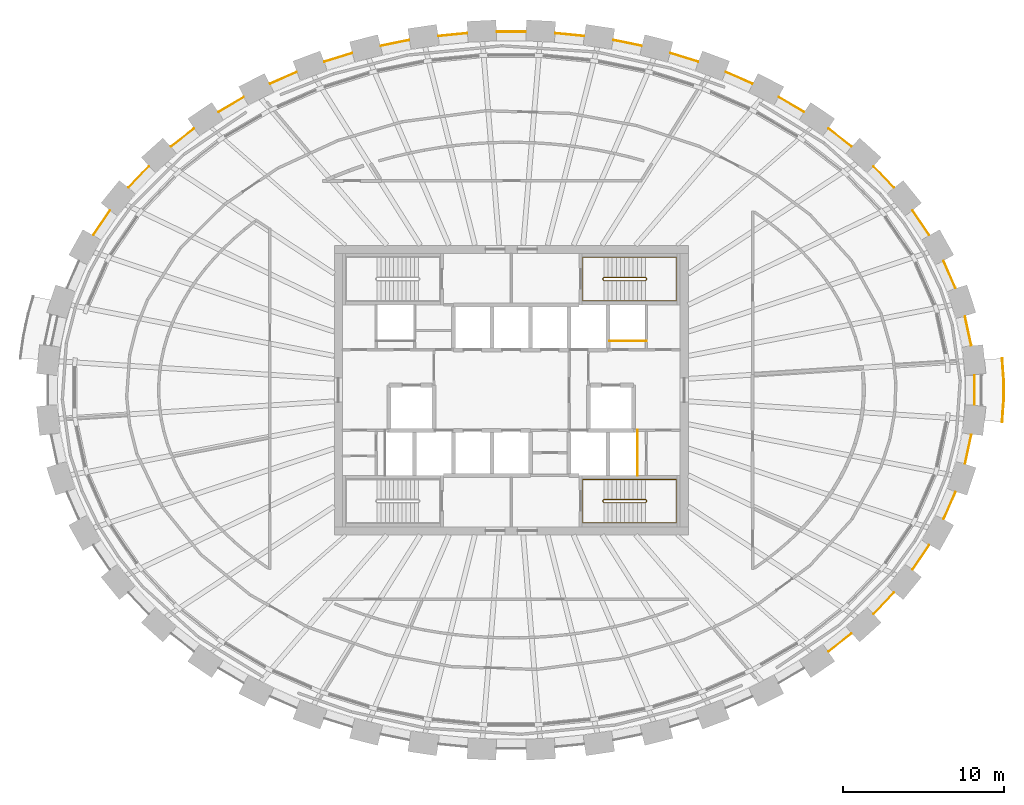
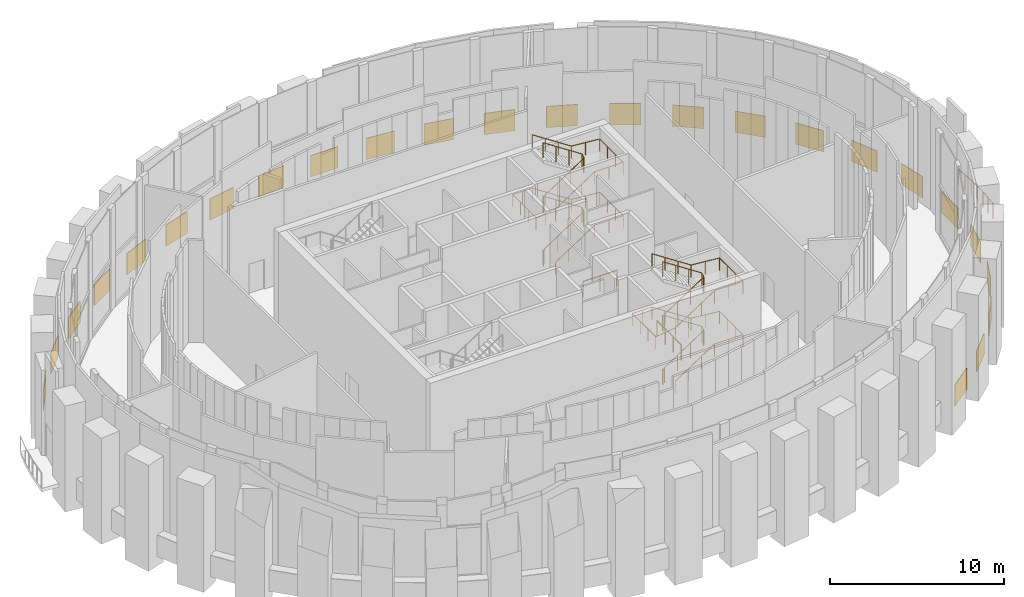
# One storey, part 16 of 16: 25 coverings, 7 railings.
"""IFC4 building model written with IfcOpenShell, lengths in metres."""

from ifc_helpers import new_model, si_unit, direction, frame, origin, origin_2d, place, context, subcontext, project, spatial, rectangle, circle, extrude, source, transform, mapped, material, layer, layer_set, type_object, element, save


model = new_model("IFC4")

# Units and contexts
model_context = context("Model", 3, precision=1e-05, world=origin(), true_north=direction((0.0, 1.0)))
body_context = subcontext(model_context, "Body", "Model", "MODEL_VIEW")
ifc_project = project(units=[si_unit("LENGTHUNIT", "METRE"), si_unit("AREAUNIT", "SQUARE_METRE"), si_unit("VOLUMEUNIT", "CUBIC_METRE"), si_unit("PLANEANGLEUNIT", "RADIAN"), si_unit("MASSUNIT", "GRAM", prefix="KILO")], contexts=[model_context])

# Site, building, storey
site_placement = place(None, origin())
site = spatial("IfcSite", under=ifc_project, at=site_placement, CompositionType="ELEMENT")
building_placement = place(site_placement, origin())
building = spatial("IfcBuilding", under=site, at=building_placement, Name="Embergate Tower", CompositionType="ELEMENT")
storey_placement = place(building_placement, frame((0.0, 0.0, 332.5)))
storey = spatial("IfcBuildingStorey", under=building, at=storey_placement, Name="L78", CompositionType="ELEMENT", Elevation=332.5)

# Coverings
ifc_material_1 = material(Name="Terracotta rainscreen on insulated backing", Category="masonry")
ifc_layer = layer(ifc_material_1, 0.0400390625)
ifc_layer_set = layer_set([ifc_layer], Name="Terracotta rainscreen on insulated backing")
covering_type = type_object("IfcCoveringType", Name="Terracotta rainscreen band", PredefinedType="CLADDING", material=ifc_layer_set)
shared_shape_1 = source(origin(), body_context, "Body", "SweptSolid", [
    extrude(rectangle(XDim=1.841064453125, YDim=0.0400390625, at=origin_2d()), origin(), (0.0, 0.0, 1.0), 1.5),
])
for number, where, z_axis, x_axis, name in (
    (1, (28.393798828125, 3.673095703125, -0.75), (0.0, 0.0, 1.0), (-0.210197047879, 0.977659041314, 0.0), "Rainscreen band 1"),
    (2, (28.393798828125, -3.673095703125, -0.75), (0.0, 0.0, 1.0), (0.210197047879, 0.977659041314, 0.0), "Rainscreen band 43"),
):
    element("IfcCovering", number, at=place(storey_placement, frame(where, z_axis=z_axis, x_axis=x_axis)), inside=storey, type_object=covering_type, Name=name, PredefinedType="CLADDING", context=body_context, shape_type="MappedRepresentation", body=[
        mapped(shared_shape_1, transform((0.0, 0.0, 0.0))),
    ])
shared_shape_2 = source(origin(), body_context, "Body", "SweptSolid", [
    extrude(rectangle(XDim=1.83349609375, YDim=0.0400390625, at=origin_2d()), origin(), (0.0, 0.0, 1.0), 1.5),
])
for number, where, z_axis, x_axis, name in (
    (3, (27.240478515625, 7.175048828125, -0.75), (0.0, 0.0, 1.0), (-0.401934991555, 0.9156682055, 0.0), "Rainscreen band 2"),
    (4, (27.240478515625, -7.175048828125, -0.75), (0.0, 0.0, 1.0), (0.401934991555, 0.9156682055, 0.0), "Rainscreen band 42"),
):
    element("IfcCovering", number, at=place(storey_placement, frame(where, z_axis=z_axis, x_axis=x_axis)), inside=storey, type_object=covering_type, Name=name, PredefinedType="CLADDING", context=body_context, shape_type="MappedRepresentation", body=[
        mapped(shared_shape_2, transform((0.0, 0.0, 0.0))),
    ])
shared_shape_3 = source(origin(), body_context, "Body", "SweptSolid", [
    extrude(rectangle(XDim=1.8291015625, YDim=0.0400390625, at=origin_2d()), origin(), (0.0, 0.0, 1.0), 1.5),
])
for number, where, z_axis, x_axis, name in (
    (5, (25.4599609375, 10.393310546875, -0.75), (0.0, 0.0, 1.0), (-0.561995319464, 0.827140411841, 0.0), "Rainscreen band 3"),
    (6, (-25.4599609375, 10.393310546875, -0.75), (0.0, 0.0, 1.0), (-0.561995319464, -0.827140411841, 0.0), "Rainscreen band 19"),
    (7, (25.4599609375, -10.393310546875, -0.75), (0.0, 0.0, 1.0), (0.561995319464, 0.827140411841, 0.0), "Rainscreen band 41"),
):
    element("IfcCovering", number, at=place(storey_placement, frame(where, z_axis=z_axis, x_axis=x_axis)), inside=storey, type_object=covering_type, Name=name, PredefinedType="CLADDING", context=body_context, shape_type="MappedRepresentation", body=[
        mapped(shared_shape_3, transform((0.0, 0.0, 0.0))),
    ])
shared_shape_4 = source(origin(), body_context, "Body", "SweptSolid", [
    extrude(rectangle(XDim=1.82421875, YDim=0.0400390625, at=origin_2d()), origin(), (0.0, 0.0, 1.0), 1.5),
])
for number, where, z_axis, x_axis, name in (
    (8, (23.155029296875, 13.24755859375, -0.75), (0.0, 0.0, 1.0), (-0.690189357203, 0.723628807611, 0.0), "Rainscreen band 4"),
    (9, (-23.155029296875, 13.24755859375, -0.75), (0.0, 0.0, 1.0), (-0.690189357203, -0.723628807611, 0.0), "Rainscreen band 18"),
    (10, (23.155029296875, -13.24755859375, -0.75), (0.0, 0.0, 1.0), (0.690189357203, 0.723628807611, 0.0), "Rainscreen band 40"),
):
    element("IfcCovering", number, at=place(storey_placement, frame(where, z_axis=z_axis, x_axis=x_axis)), inside=storey, type_object=covering_type, Name=name, PredefinedType="CLADDING", context=body_context, shape_type="MappedRepresentation", body=[
        mapped(shared_shape_4, transform((0.0, 0.0, 0.0))),
    ])
shared_shape_5 = source(origin(), body_context, "Body", "SweptSolid", [
    extrude(rectangle(XDim=1.81884765625, YDim=0.0400390625, at=origin_2d()), origin(), (0.0, 0.0, 1.0), 1.5),
])
for number, where, z_axis, x_axis, name in (
    (11, (20.429443359375, 15.690185546875, -0.75), (0.0, 0.0, 1.0), (-0.788373808279, 0.615196503907, 0.0), "Rainscreen band 5"),
    (12, (-20.429443359375, 15.690185546875, -0.75), (0.0, 0.0, 1.0), (-0.788373808279, -0.615196503907, 0.0), "Rainscreen band 17"),
    (13, (20.429443359375, -15.690185546875, -0.75), (0.0, 0.0, 1.0), (0.788373808279, 0.615196503907, 0.0), "Rainscreen band 39"),
):
    element("IfcCovering", number, at=place(storey_placement, frame(where, z_axis=z_axis, x_axis=x_axis)), inside=storey, type_object=covering_type, Name=name, PredefinedType="CLADDING", context=body_context, shape_type="MappedRepresentation", body=[
        mapped(shared_shape_5, transform((0.0, 0.0, 0.0))),
    ])
shared_shape_6 = source(origin(), body_context, "Body", "SweptSolid", [
    extrude(rectangle(XDim=1.814453125, YDim=0.0400390625, at=origin_2d()), origin(), (0.0, 0.0, 1.0), 1.5),
])
for number, where, z_axis, x_axis, name in (
    (14, (17.40966796875, 17.743408203125, -0.75), (0.0, 0.0, 1.0), (-0.861934612657, 0.507019450813, 0.0), "Rainscreen band 6"),
    (15, (-17.40966796875, 17.743408203125, -0.75), (0.0, 0.0, 1.0), (-0.861934612657, -0.507019450813, 0.0), "Rainscreen band 16"),
):
    element("IfcCovering", number, at=place(storey_placement, frame(where, z_axis=z_axis, x_axis=x_axis)), inside=storey, type_object=covering_type, Name=name, PredefinedType="CLADDING", context=body_context, shape_type="MappedRepresentation", body=[
        mapped(shared_shape_6, transform((0.0, 0.0, 0.0))),
    ])
shared_shape_7 = source(origin(), body_context, "Body", "SweptSolid", [
    extrude(rectangle(XDim=1.812744140625, YDim=0.0400390625, at=origin_2d()), origin(), (0.0, 0.0, 1.0), 1.5),
])
for number, where, z_axis, x_axis, name in (
    (16, (14.16259765625, 19.400390625, -0.75), (0.0, 0.0, 1.0), (-0.916296336583, 0.400500965747, 0.0), "Rainscreen band 7"),
    (17, (-14.16259765625, 19.400390625, -0.75), (0.0, 0.0, 1.0), (-0.916296336583, -0.400500965747, 0.0), "Rainscreen band 15"),
):
    element("IfcCovering", number, at=place(storey_placement, frame(where, z_axis=z_axis, x_axis=x_axis)), inside=storey, type_object=covering_type, Name=name, PredefinedType="CLADDING", context=body_context, shape_type="MappedRepresentation", body=[
        mapped(shared_shape_7, transform((0.0, 0.0, 0.0))),
    ])
shared_shape_8 = source(origin(), body_context, "Body", "SweptSolid", [
    extrude(rectangle(XDim=1.810791015625, YDim=0.0400390625, at=origin_2d()), origin(), (0.0, 0.0, 1.0), 1.5),
])
for number, where, z_axis, x_axis, name in (
    (18, (10.751220703125, 20.672607421875, -0.75), (0.0, 0.0, 1.0), (-0.954842767896, 0.297111576006, 0.0), "Rainscreen band 8"),
    (19, (-10.751220703125, 20.672607421875, -0.75), (0.0, 0.0, 1.0), (-0.954842767896, -0.297111576006, 0.0), "Rainscreen band 14"),
):
    element("IfcCovering", number, at=place(storey_placement, frame(where, z_axis=z_axis, x_axis=x_axis)), inside=storey, type_object=covering_type, Name=name, PredefinedType="CLADDING", context=body_context, shape_type="MappedRepresentation", body=[
        mapped(shared_shape_8, transform((0.0, 0.0, 0.0))),
    ])
shared_shape_9 = source(origin(), body_context, "Body", "SweptSolid", [
    extrude(rectangle(XDim=1.809326171875, YDim=0.0400390625, at=origin_2d()), origin(), (0.0, 0.0, 1.0), 1.5),
])
for number, where, z_axis, x_axis, name in (
    (20, (7.22607421875, 21.572265625, -0.75), (0.0, 0.0, 1.0), (-0.98045290629, 0.196753903515, 0.0), "Rainscreen band 9"),
    (21, (-7.22607421875, 21.572265625, -0.75), (0.0, 0.0, 1.0), (-0.98045290629, -0.196753903515, 0.0), "Rainscreen band 13"),
):
    element("IfcCovering", number, at=place(storey_placement, frame(where, z_axis=z_axis, x_axis=x_axis)), inside=storey, type_object=covering_type, Name=name, PredefinedType="CLADDING", context=body_context, shape_type="MappedRepresentation", body=[
        mapped(shared_shape_9, transform((0.0, 0.0, 0.0))),
    ])
shared_shape_10 = source(origin(), body_context, "Body", "SweptSolid", [
    extrude(rectangle(XDim=1.806640625, YDim=0.0400390625, at=origin_2d()), origin(), (0.0, 0.0, 1.0), 1.5),
])
for number, where, z_axis, x_axis, name in (
    (22, (3.6279296875, 22.088134765625, -0.75), (0.0, 0.0, 1.0), (-0.995189515505, 0.097968506312, 0.0), "Rainscreen band 10"),
    (23, (-3.6279296875, 22.088134765625, -0.75), (0.0, 0.0, 1.0), (-0.995189515505, -0.097968506312, 0.0), "Rainscreen band 12"),
):
    element("IfcCovering", number, at=place(storey_placement, frame(where, z_axis=z_axis, x_axis=x_axis)), inside=storey, type_object=covering_type, Name=name, PredefinedType="CLADDING", context=body_context, shape_type="MappedRepresentation", body=[
        mapped(shared_shape_10, transform((0.0, 0.0, 0.0))),
    ])
shared_shape_11 = source(origin(), body_context, "Body", "SweptSolid", [
    extrude(rectangle(XDim=1.805908203125, YDim=0.0400390625, at=origin_2d()), origin(), (0.0, 0.0, 1.0), 1.5),
])
covering_1_placement = place(storey_placement, frame((0.0, 22.26708984375, -0.75), z_axis=(0.0, 0.0, 1.0), x_axis=(-1.0, 0.0, 0.0)))
element("IfcCovering", 24, at=covering_1_placement, inside=storey, type_object=covering_type, Name="Rainscreen band 11", PredefinedType="CLADDING", context=body_context, shape_type="MappedRepresentation", body=[
    mapped(shared_shape_11, transform((0.0, 0.0, 0.0))),
])
shared_shape_12 = source(origin(), body_context, "Body", "SweptSolid", [
    extrude(rectangle(XDim=1.842041015625, YDim=0.0400390625, at=origin_2d()), origin(), (0.0, 0.0, 1.0), 1.5),
])
covering_2_placement = place(storey_placement, frame((28.784912109375, 0.0, -0.75), z_axis=(0.0, 0.0, 1.0), x_axis=(0.0, 1.0, 0.0)))
element("IfcCovering", 25, at=covering_2_placement, inside=storey, type_object=covering_type, Name="Rainscreen band 44", PredefinedType="CLADDING", context=body_context, shape_type="MappedRepresentation", body=[
    mapped(shared_shape_12, transform((0.0, 0.0, 0.0))),
])

# Railings
ifc_material_2 = material(Name="Stair guard 1100")
railing_type_1 = type_object("IfcRailingType", Name="Stair guard 1100", PredefinedType="GUARDRAIL", material=ifc_material_2)
shared_shape_13 = source(origin(), body_context, "Body", "SweptSolid", [
    extrude(circle(Radius=0.02392578125, at=origin_2d()), frame((0.0, 0.0, 1.076171875), z_axis=(0.0, -1.0, 0.0), x_axis=(1.0, 0.0, 0.0)), (0.0, 0.0, 1.0), 0.099853515625),
    extrude(circle(Radius=0.02392578125, at=origin_2d()), frame((0.0, -0.099853515625, 1.076171875), z_axis=(0.271230943075, -0.271230943075, 0.923508284228), x_axis=(0.707106781187, 0.707106781187, 0.0)), (0.0, 0.0, 1.0), 0.1845703125),
    extrude(circle(Radius=0.02392578125, at=origin_2d()), frame((0.050048828125, -0.14990234375, 1.24658203125), z_axis=(0.836302213143, 0.0, 0.548268737292), x_axis=(0.0, 1.0, 0.0)), (0.0, 0.0, 1.0), 3.109130859375),
    extrude(circle(Radius=0.02392578125, at=origin_2d()), frame((2.650146484375, -0.14990234375, 2.951171875), z_axis=(0.705375805398, 0.708833529934, 0.0), x_axis=(-0.708833529934, 0.705375805398, 0.0)), (0.0, 0.0, 1.0), 0.070556640625),
    extrude(circle(Radius=0.02392578125, at=origin_2d()), frame((2.699951171875, -0.099853515625, 2.951171875), z_axis=(0.0, 1.0, 0.0), x_axis=(-1.0, 0.0, 0.0)), (0.0, 0.0, 1.0), 0.099853515625),
    extrude(circle(Radius=0.02392578125, at=origin_2d()), frame((2.699951171875, 0.0, 2.951171875), z_axis=(-0.270004540015, 0.271328091682, 0.923839063385), x_axis=(-0.708833529934, -0.705375805398, 0.0)), (0.0, 0.0, 1.0), 0.1845703125),
    extrude(circle(Radius=0.02392578125, at=origin_2d()), frame((2.650146484375, 0.050048828125, 3.12158203125), z_axis=(-0.836302213143, 0.0, 0.548268737292), x_axis=(0.0, -1.0, 0.0)), (0.0, 0.0, 1.0), 3.109130859375),
    extrude(circle(Radius=0.02392578125, at=origin_2d()), frame((0.050048828125, 0.050048828125, 4.826171875), z_axis=(-0.707106781187, -0.707106781187, 0.0), x_axis=(0.707106781187, -0.707106781187, 0.0)), (0.0, 0.0, 1.0), 0.07080078125),
    extrude(circle(Radius=0.02392578125, at=origin_2d()), frame((0.0, 0.0, 4.826171875), z_axis=(0.0, -1.0, 0.0), x_axis=(1.0, 0.0, 0.0)), (0.0, 0.0, 1.0), 0.099853515625),
    extrude(circle(Radius=0.02392578125, at=origin_2d()), frame((0.0, -0.099853515625, 4.826171875), z_axis=(0.271230943075, -0.271230943075, 0.923508284228), x_axis=(0.707106781187, 0.707106781187, 0.0)), (0.0, 0.0, 1.0), 0.1845703125),
    extrude(circle(Radius=0.02392578125, at=origin_2d()), frame((0.050048828125, -0.14990234375, 4.99658203125), z_axis=(0.836302213143, 0.0, 0.548268737292), x_axis=(0.0, 1.0, 0.0)), (0.0, 0.0, 1.0), 3.109130859375),
    extrude(circle(Radius=0.02392578125, at=origin_2d()), frame((2.650146484375, -0.14990234375, 6.701171875), z_axis=(0.705375805398, 0.708833529934, 0.0), x_axis=(-0.708833529934, 0.705375805398, 0.0)), (0.0, 0.0, 1.0), 0.070556640625),
    extrude(circle(Radius=0.02392578125, at=origin_2d()), frame((2.699951171875, -0.099853515625, 6.701171875), z_axis=(0.0, 1.0, 0.0), x_axis=(-1.0, 0.0, 0.0)), (0.0, 0.0, 1.0), 0.099853515625),
    extrude(circle(Radius=0.02392578125, at=origin_2d()), frame((2.699951171875, 0.0, 6.701171875), z_axis=(-0.270004540015, 0.271328091682, 0.923839063385), x_axis=(-0.708833529934, -0.705375805398, 0.0)), (0.0, 0.0, 1.0), 0.1845703125),
    extrude(circle(Radius=0.02392578125, at=origin_2d()), frame((2.650146484375, 0.050048828125, 6.87158203125), z_axis=(-0.836302213143, 0.0, 0.548268737292), x_axis=(0.0, -1.0, 0.0)), (0.0, 0.0, 1.0), 3.109130859375),
    extrude(circle(Radius=0.02099609375, at=origin_2d()), origin(), (0.0, 0.0, 1.0), 1.052001953125),
    extrude(circle(Radius=0.02099609375, at=origin_2d()), frame((0.0, -0.099853515625, 0.0)), (0.0, 0.0, 1.0), 1.052001953125),
    extrude(circle(Radius=0.02099609375, at=origin_2d()), frame((0.050048828125, -0.14990234375, 0.17041015625)), (0.0, 0.0, 1.0), 1.052001953125),
    extrude(circle(Radius=0.02099609375, at=origin_2d()), frame((0.916748046875, -0.14990234375, 0.738525390625)), (0.0, 0.0, 1.0), 1.052001953125),
    extrude(circle(Radius=0.02099609375, at=origin_2d()), frame((1.783447265625, -0.14990234375, 1.306884765625)), (0.0, 0.0, 1.0), 1.052001953125),
    extrude(circle(Radius=0.02099609375, at=origin_2d()), frame((2.650146484375, -0.14990234375, 1.875)), (0.0, 0.0, 1.0), 1.052001953125),
    extrude(circle(Radius=0.02099609375, at=origin_2d()), frame((2.699951171875, -0.099853515625, 1.875)), (0.0, 0.0, 1.0), 1.052001953125),
    extrude(circle(Radius=0.02099609375, at=origin_2d()), frame((2.699951171875, 0.0, 1.875)), (0.0, 0.0, 1.0), 1.052001953125),
    extrude(circle(Radius=0.02099609375, at=origin_2d()), frame((2.650146484375, 0.050048828125, 2.04541015625)), (0.0, 0.0, 1.0), 1.052001953125),
    extrude(circle(Radius=0.02099609375, at=origin_2d()), frame((1.783447265625, 0.050048828125, 2.613525390625)), (0.0, 0.0, 1.0), 1.052001953125),
    extrude(circle(Radius=0.02099609375, at=origin_2d()), frame((0.916748046875, 0.050048828125, 3.181884765625)), (0.0, 0.0, 1.0), 1.052001953125),
    extrude(circle(Radius=0.02099609375, at=origin_2d()), frame((0.050048828125, 0.050048828125, 3.75)), (0.0, 0.0, 1.0), 1.052001953125),
    extrude(circle(Radius=0.02099609375, at=origin_2d()), frame((0.0, 0.0, 3.75)), (0.0, 0.0, 1.0), 1.052001953125),
    extrude(circle(Radius=0.02099609375, at=origin_2d()), frame((0.0, -0.099853515625, 3.75)), (0.0, 0.0, 1.0), 1.052001953125),
    extrude(circle(Radius=0.02099609375, at=origin_2d()), frame((0.050048828125, -0.14990234375, 3.92041015625)), (0.0, 0.0, 1.0), 1.052001953125),
    extrude(circle(Radius=0.02099609375, at=origin_2d()), frame((0.916748046875, -0.14990234375, 4.488525390625)), (0.0, 0.0, 1.0), 1.052001953125),
    extrude(circle(Radius=0.02099609375, at=origin_2d()), frame((1.783447265625, -0.14990234375, 5.056884765625)), (0.0, 0.0, 1.0), 1.052001953125),
    extrude(circle(Radius=0.02099609375, at=origin_2d()), frame((2.650146484375, -0.14990234375, 5.625)), (0.0, 0.0, 1.0), 1.052001953125),
    extrude(circle(Radius=0.02099609375, at=origin_2d()), frame((2.699951171875, -0.099853515625, 5.625)), (0.0, 0.0, 1.0), 1.052001953125),
    extrude(circle(Radius=0.02099609375, at=origin_2d()), frame((2.699951171875, 0.0, 5.625)), (0.0, 0.0, 1.0), 1.052001953125),
    extrude(circle(Radius=0.02099609375, at=origin_2d()), frame((2.650146484375, 0.050048828125, 5.79541015625)), (0.0, 0.0, 1.0), 1.052001953125),
    extrude(circle(Radius=0.02099609375, at=origin_2d()), frame((1.783447265625, 0.050048828125, 6.363525390625)), (0.0, 0.0, 1.0), 1.052001953125),
    extrude(circle(Radius=0.02099609375, at=origin_2d()), frame((0.916748046875, 0.050048828125, 6.931884765625)), (0.0, 0.0, 1.0), 1.052001953125),
    extrude(circle(Radius=0.02099609375, at=origin_2d()), frame((0.050048828125, 0.050048828125, 7.5)), (0.0, 0.0, 1.0), 1.052001953125),
])
for number, where, name in (
    (26, (5.699951171875, 6.949951171875, 0.0), "L78 ST2 stair guard 1"),
    (27, (5.699951171875, -6.85009765625, 0.0), "L78 ST4 stair guard 1"),
):
    element("IfcRailing", number, at=place(storey_placement, frame(where)), inside=storey, type_object=railing_type_1, Name=name, PredefinedType="GUARDRAIL", context=body_context, shape_type="MappedRepresentation", body=[
        mapped(shared_shape_13, transform((0.0, 0.0, 0.0))),
    ])
ifc_material_3 = material(Name="Stair handrail 900")
railing_type_2 = type_object("IfcRailingType", Name="Stair handrail 900", PredefinedType="HANDRAIL", material=ifc_material_3)
shared_shape_14 = source(origin(), body_context, "Body", "SweptSolid", [
    extrude(circle(Radius=0.02392578125, at=origin_2d()), frame((0.0, 0.0, 0.8759765625), z_axis=(0.836302213143, 0.0, 0.548268737292), x_axis=(0.0, 1.0, 0.0)), (0.0, 0.0, 1.0), 3.109130859375),
    extrude(circle(Radius=0.02392578125, at=origin_2d()), frame((2.60009765625, 0.0, 2.58056640625), z_axis=(1.0, 0.0, 0.0), x_axis=(0.0, 1.0, 0.0)), (0.0, 0.0, 1.0), 1.89990234375),
    extrude(circle(Radius=0.02392578125, at=origin_2d()), frame((4.5, 0.0, 2.58056640625), z_axis=(0.0, 1.0, 0.0), x_axis=(-1.0, 0.0, 0.0)), (0.0, 0.0, 1.0), 2.699951171875),
    extrude(circle(Radius=0.02392578125, at=origin_2d()), frame((4.5, 2.699951171875, 2.58056640625), z_axis=(-0.996001587731, 0.0, 0.08933553177), x_axis=(0.0, -1.0, 0.0)), (0.0, 0.0, 1.0), 1.907470703125),
    extrude(circle(Radius=0.02392578125, at=origin_2d()), frame((2.60009765625, 2.699951171875, 2.7509765625), z_axis=(-0.836302213143, 0.0, 0.548268737292), x_axis=(0.0, -1.0, 0.0)), (0.0, 0.0, 1.0), 3.109130859375),
    extrude(circle(Radius=0.02392578125, at=origin_2d()), frame((0.0, 2.699951171875, 4.45556640625), z_axis=(-1.0, 0.0, 0.0), x_axis=(0.0, -1.0, 0.0)), (0.0, 0.0, 1.0), 1.300048828125),
    extrude(circle(Radius=0.02392578125, at=origin_2d()), frame((-1.300048828125, 2.699951171875, 4.45556640625), z_axis=(0.0, -1.0, 0.0), x_axis=(1.0, 0.0, 0.0)), (0.0, 0.0, 1.0), 2.699951171875),
    extrude(circle(Radius=0.02392578125, at=origin_2d()), frame((-1.300048828125, 0.0, 4.45556640625), z_axis=(0.991518186608, 0.0, 0.1299680177), x_axis=(0.0, 1.0, 0.0)), (0.0, 0.0, 1.0), 1.311279296875),
    extrude(circle(Radius=0.02392578125, at=origin_2d()), frame((0.0, 0.0, 4.6259765625), z_axis=(0.836302213143, 0.0, 0.548268737292), x_axis=(0.0, 1.0, 0.0)), (0.0, 0.0, 1.0), 3.109130859375),
    extrude(circle(Radius=0.02392578125, at=origin_2d()), frame((2.60009765625, 0.0, 6.33056640625), z_axis=(1.0, 0.0, 0.0), x_axis=(0.0, 1.0, 0.0)), (0.0, 0.0, 1.0), 1.89990234375),
    extrude(circle(Radius=0.02392578125, at=origin_2d()), frame((4.5, 0.0, 6.33056640625), z_axis=(0.0, 1.0, 0.0), x_axis=(-1.0, 0.0, 0.0)), (0.0, 0.0, 1.0), 2.699951171875),
    extrude(circle(Radius=0.02392578125, at=origin_2d()), frame((4.5, 2.699951171875, 6.33056640625), z_axis=(-0.996001587731, 0.0, 0.08933553177), x_axis=(0.0, -1.0, 0.0)), (0.0, 0.0, 1.0), 1.907470703125),
    extrude(circle(Radius=0.02392578125, at=origin_2d()), frame((2.60009765625, 2.699951171875, 6.5009765625), z_axis=(-0.836302213143, 0.0, 0.548268737292), x_axis=(0.0, -1.0, 0.0)), (0.0, 0.0, 1.0), 3.109130859375),
    extrude(circle(Radius=0.02099609375, at=origin_2d()), origin(), (0.0, 0.0, 1.0), 0.851806640625),
    extrude(circle(Radius=0.02099609375, at=origin_2d()), frame((0.86669921875, 0.0, 0.568115234375)), (0.0, 0.0, 1.0), 0.851806640625),
    extrude(circle(Radius=0.02099609375, at=origin_2d()), frame((1.7333984375, 0.0, 1.136474609375)), (0.0, 0.0, 1.0), 0.851806640625),
    extrude(circle(Radius=0.02099609375, at=origin_2d()), frame((2.60009765625, 0.0, 1.70458984375)), (0.0, 0.0, 1.0), 0.851806640625),
    extrude(circle(Radius=0.02099609375, at=origin_2d()), frame((3.550048828125, 0.0, 1.70458984375)), (0.0, 0.0, 1.0), 0.851806640625),
    extrude(circle(Radius=0.02099609375, at=origin_2d()), frame((4.5, 0.0, 1.70458984375)), (0.0, 0.0, 1.0), 0.851806640625),
    extrude(circle(Radius=0.02099609375, at=origin_2d()), frame((4.5, 0.89990234375, 1.70458984375)), (0.0, 0.0, 1.0), 0.851806640625),
    extrude(circle(Radius=0.02099609375, at=origin_2d()), frame((4.5, 1.800048828125, 1.70458984375)), (0.0, 0.0, 1.0), 0.851806640625),
    extrude(circle(Radius=0.02099609375, at=origin_2d()), frame((4.5, 2.699951171875, 1.70458984375)), (0.0, 0.0, 1.0), 0.851806640625),
    extrude(circle(Radius=0.02099609375, at=origin_2d()), frame((3.550048828125, 2.699951171875, 1.789794921875)), (0.0, 0.0, 1.0), 0.851806640625),
    extrude(circle(Radius=0.02099609375, at=origin_2d()), frame((2.60009765625, 2.699951171875, 1.875)), (0.0, 0.0, 1.0), 0.851806640625),
    extrude(circle(Radius=0.02099609375, at=origin_2d()), frame((1.7333984375, 2.699951171875, 2.443115234375)), (0.0, 0.0, 1.0), 0.851806640625),
    extrude(circle(Radius=0.02099609375, at=origin_2d()), frame((0.86669921875, 2.699951171875, 3.011474609375)), (0.0, 0.0, 1.0), 0.851806640625),
    extrude(circle(Radius=0.02099609375, at=origin_2d()), frame((0.0, 2.699951171875, 3.57958984375)), (0.0, 0.0, 1.0), 0.851806640625),
    extrude(circle(Radius=0.02099609375, at=origin_2d()), frame((-0.64990234375, 2.699951171875, 3.57958984375)), (0.0, 0.0, 1.0), 0.851806640625),
    extrude(circle(Radius=0.02099609375, at=origin_2d()), frame((-1.300048828125, 2.699951171875, 3.57958984375)), (0.0, 0.0, 1.0), 0.851806640625),
    extrude(circle(Radius=0.02099609375, at=origin_2d()), frame((-1.300048828125, 1.800048828125, 3.57958984375)), (0.0, 0.0, 1.0), 0.851806640625),
    extrude(circle(Radius=0.02099609375, at=origin_2d()), frame((-1.300048828125, 0.89990234375, 3.57958984375)), (0.0, 0.0, 1.0), 0.851806640625),
    extrude(circle(Radius=0.02099609375, at=origin_2d()), frame((-1.300048828125, 0.0, 3.57958984375)), (0.0, 0.0, 1.0), 0.851806640625),
    extrude(circle(Radius=0.02099609375, at=origin_2d()), frame((-0.64990234375, 0.0, 3.664794921875)), (0.0, 0.0, 1.0), 0.851806640625),
    extrude(circle(Radius=0.02099609375, at=origin_2d()), frame((0.0, 0.0, 3.75)), (0.0, 0.0, 1.0), 0.851806640625),
    extrude(circle(Radius=0.02099609375, at=origin_2d()), frame((0.86669921875, 0.0, 4.318115234375)), (0.0, 0.0, 1.0), 0.851806640625),
    extrude(circle(Radius=0.02099609375, at=origin_2d()), frame((1.7333984375, 0.0, 4.886474609375)), (0.0, 0.0, 1.0), 0.851806640625),
    extrude(circle(Radius=0.02099609375, at=origin_2d()), frame((2.60009765625, 0.0, 5.45458984375)), (0.0, 0.0, 1.0), 0.851806640625),
    extrude(circle(Radius=0.02099609375, at=origin_2d()), frame((3.550048828125, 0.0, 5.45458984375)), (0.0, 0.0, 1.0), 0.851806640625),
    extrude(circle(Radius=0.02099609375, at=origin_2d()), frame((4.5, 0.0, 5.45458984375)), (0.0, 0.0, 1.0), 0.851806640625),
    extrude(circle(Radius=0.02099609375, at=origin_2d()), frame((4.5, 0.89990234375, 5.45458984375)), (0.0, 0.0, 1.0), 0.851806640625),
    extrude(circle(Radius=0.02099609375, at=origin_2d()), frame((4.5, 1.800048828125, 5.45458984375)), (0.0, 0.0, 1.0), 0.851806640625),
    extrude(circle(Radius=0.02099609375, at=origin_2d()), frame((4.5, 2.699951171875, 5.45458984375)), (0.0, 0.0, 1.0), 0.851806640625),
    extrude(circle(Radius=0.02099609375, at=origin_2d()), frame((3.550048828125, 2.699951171875, 5.539794921875)), (0.0, 0.0, 1.0), 0.851806640625),
    extrude(circle(Radius=0.02099609375, at=origin_2d()), frame((2.60009765625, 2.699951171875, 5.625)), (0.0, 0.0, 1.0), 0.851806640625),
    extrude(circle(Radius=0.02099609375, at=origin_2d()), frame((1.7333984375, 2.699951171875, 6.193115234375)), (0.0, 0.0, 1.0), 0.851806640625),
    extrude(circle(Radius=0.02099609375, at=origin_2d()), frame((0.86669921875, 2.699951171875, 6.761474609375)), (0.0, 0.0, 1.0), 0.851806640625),
    extrude(circle(Radius=0.02099609375, at=origin_2d()), frame((0.0, 2.699951171875, 7.32958984375)), (0.0, 0.0, 1.0), 0.851806640625),
])
for number, where, name in (
    (28, (5.75, 5.550048828125, 0.17041015625), "L78 ST2 stair handrail 1"),
    (29, (5.75, -8.25, 0.17041015625), "L78 ST4 stair handrail 1"),
):
    element("IfcRailing", number, at=place(storey_placement, frame(where)), inside=storey, type_object=railing_type_2, Name=name, PredefinedType="HANDRAIL", context=body_context, shape_type="MappedRepresentation", body=[
        mapped(shared_shape_14, transform((0.0, 0.0, 0.0))),
    ])
ifc_material_4 = material(Name="Opening guard 1100")
railing_type_3 = type_object("IfcRailingType", Name="Opening guard 1100", PredefinedType="GUARDRAIL", material=ifc_material_4)
shared_shape_15 = source(origin(), body_context, "Body", "SweptSolid", [
    extrude(circle(Radius=0.02392578125, at=origin_2d()), frame((0.0, 0.0, 1.076171875), z_axis=(1.0, 0.0, 0.0), x_axis=(0.0, 1.0, 0.0)), (0.0, 0.0, 1.0), 2.27490234375),
    extrude(circle(Radius=0.02099609375, at=origin_2d()), origin(), (0.0, 0.0, 1.0), 1.052001953125),
    extrude(circle(Radius=0.02099609375, at=origin_2d()), frame((1.137451171875, 0.0, 0.0)), (0.0, 0.0, 1.0), 1.052001953125),
    extrude(circle(Radius=0.02099609375, at=origin_2d()), frame((2.27490234375, 0.0, 0.0)), (0.0, 0.0, 1.0), 1.052001953125),
])
railing_1_placement = place(storey_placement, frame((6.125, 3.050048828125, 0.0)))
element("IfcRailing", 30, at=railing_1_placement, inside=storey, type_object=railing_type_3, Name="Riser opening guard", PredefinedType="GUARDRAIL", context=body_context, shape_type="MappedRepresentation", body=[
    mapped(shared_shape_15, transform((0.0, 0.0, 0.0))),
])
shared_shape_16 = source(origin(), body_context, "Body", "SweptSolid", [
    extrude(circle(Radius=0.02392578125, at=origin_2d()), frame((0.0, 0.0, 1.076171875), z_axis=(0.0, 1.0, 0.0), x_axis=(-1.0, 0.0, 0.0)), (0.0, 0.0, 1.0), 2.800048828125),
    extrude(circle(Radius=0.02099609375, at=origin_2d()), origin(), (0.0, 0.0, 1.0), 1.052001953125),
    extrude(circle(Radius=0.02099609375, at=origin_2d()), frame((0.0, 0.933349609375, 0.0)), (0.0, 0.0, 1.0), 1.052001953125),
    extrude(circle(Radius=0.02099609375, at=origin_2d()), frame((0.0, 1.86669921875, 0.0)), (0.0, 0.0, 1.0), 1.052001953125),
    extrude(circle(Radius=0.02099609375, at=origin_2d()), frame((0.0, 2.800048828125, 0.0)), (0.0, 0.0, 1.0), 1.052001953125),
])
railing_2_placement = place(storey_placement, frame((7.85009765625, -5.300048828125, 0.0)))
element("IfcRailing", 31, at=railing_2_placement, inside=storey, type_object=railing_type_3, Name="Riser opening guard", PredefinedType="GUARDRAIL", context=body_context, shape_type="MappedRepresentation", body=[
    mapped(shared_shape_16, transform((0.0, 0.0, 0.0))),
])
ifc_material_5 = material(Name="Stainless steel", Category="steel")
railing_type_4 = type_object("IfcRailingType", Name="Terrace guard 1100", PredefinedType="GUARDRAIL", material=ifc_material_5)
shared_shape_17 = source(origin(), body_context, "Body", "SweptSolid", [
    extrude(circle(Radius=0.02490234375, at=origin_2d()), frame((0.0, 0.0, 1.0751953125), z_axis=(0.071193226298, -0.99746254292, 0.0), x_axis=(0.99746254292, 0.071193226298, 0.0)), (0.0, 0.0, 1.0), 1.289306640625),
    extrude(circle(Radius=0.02490234375, at=origin_2d()), frame((0.091796875, -1.2861328125, 1.0751953125), z_axis=(0.0, -1.0, 0.0), x_axis=(1.0, 0.0, 0.0)), (0.0, 0.0, 1.0), 1.36376953125),
    extrude(circle(Radius=0.02490234375, at=origin_2d()), frame((0.091796875, -2.64990234375, 1.0751953125), z_axis=(-0.071193226298, -0.99746254292, 0.0), x_axis=(0.99746254292, -0.071193226298, 0.0)), (0.0, 0.0, 1.0), 1.289306640625),
    extrude(circle(Radius=0.02490234375, at=origin_2d()), origin(), (0.0, 0.0, 1.0), 1.050048828125),
    extrude(circle(Radius=0.02490234375, at=origin_2d()), frame((0.0458984375, -0.64306640625, 0.0)), (0.0, 0.0, 1.0), 1.050048828125),
    extrude(circle(Radius=0.02490234375, at=origin_2d()), frame((0.091796875, -1.2861328125, 0.0)), (0.0, 0.0, 1.0), 1.050048828125),
    extrude(circle(Radius=0.02490234375, at=origin_2d()), frame((0.091796875, -1.968017578125, 0.0)), (0.0, 0.0, 1.0), 1.050048828125),
    extrude(circle(Radius=0.02490234375, at=origin_2d()), frame((0.091796875, -2.64990234375, 0.0)), (0.0, 0.0, 1.0), 1.050048828125),
    extrude(circle(Radius=0.02490234375, at=origin_2d()), frame((0.0458984375, -3.29296875, 0.0)), (0.0, 0.0, 1.0), 1.050048828125),
    extrude(circle(Radius=0.02490234375, at=origin_2d()), frame((0.0, -3.93603515625, 0.0)), (0.0, 0.0, 1.0), 1.050048828125),
])
railing_3_placement = place(storey_placement, frame((30.506103515625, 1.968017578125, 0.0)))
element("IfcRailing", 32, at=railing_3_placement, inside=storey, type_object=railing_type_4, Name="Terrace guard E", PredefinedType="GUARDRAIL", context=body_context, shape_type="MappedRepresentation", body=[
    mapped(shared_shape_17, transform((0.0, 0.0, 0.0))),
])

save(model, "model.ifc")
